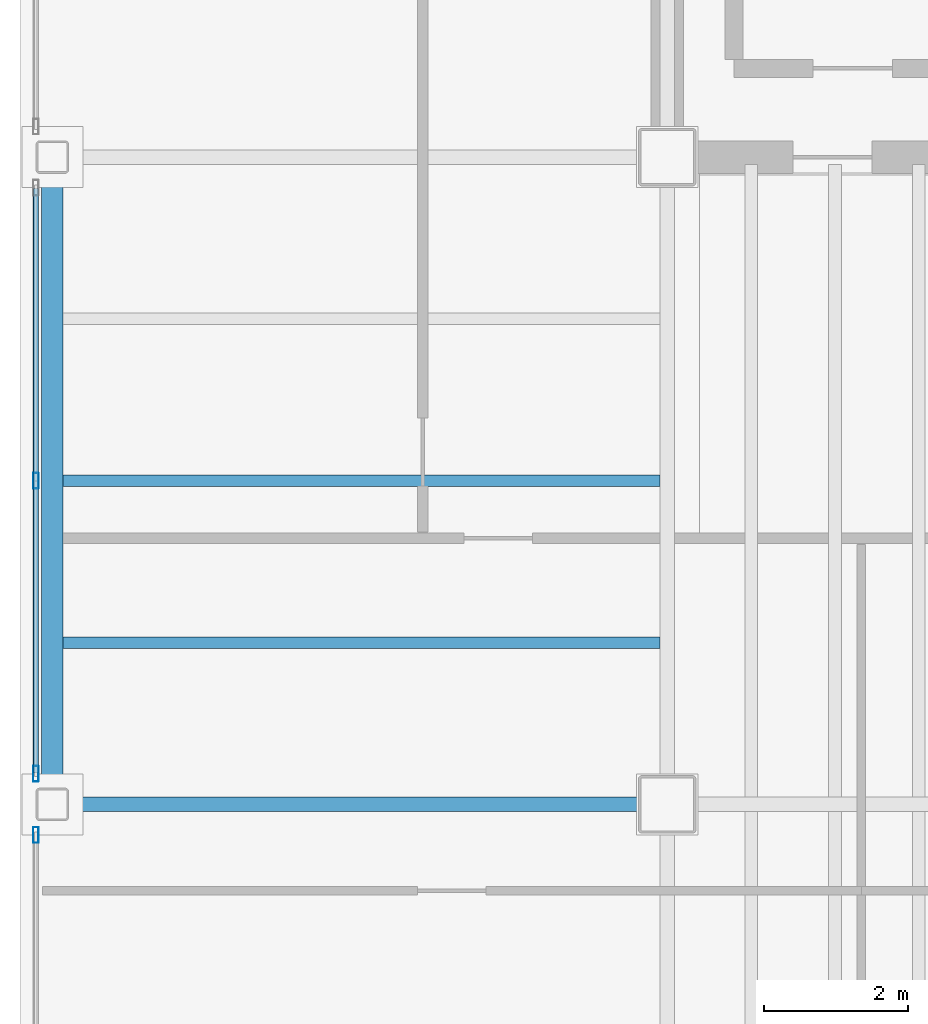
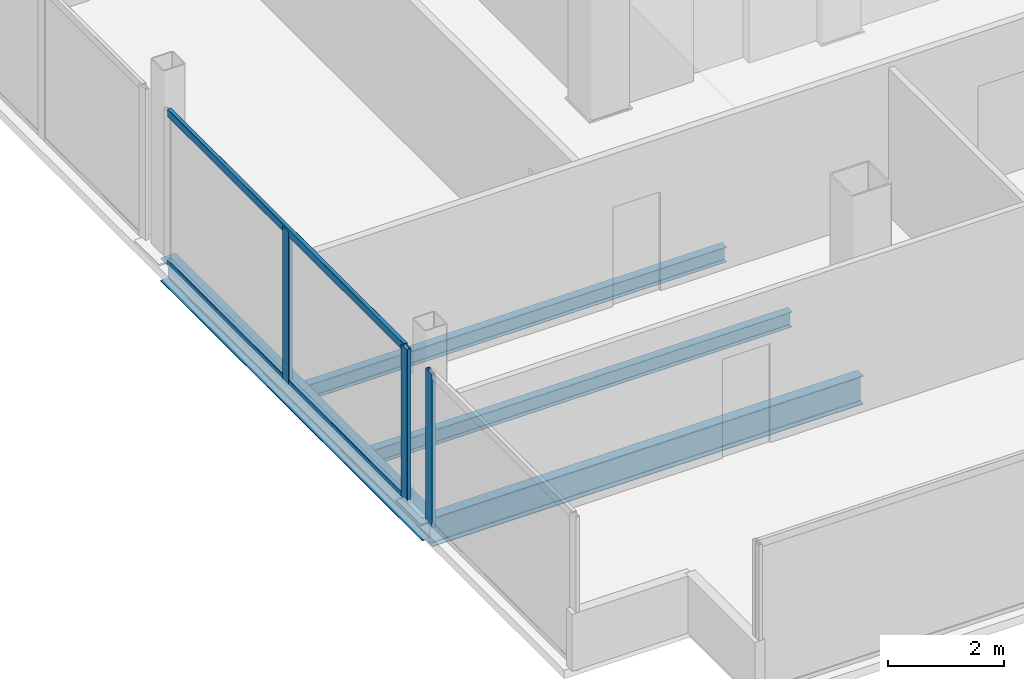
# One storey, part 4 of 17: 5 members, 4 beams, 2 elements without a shape of their own.
"""IFC4 building model written with IfcOpenShell, lengths in metres."""

from ifc_helpers import new_model, si_unit, direction, frame, origin, origin_2d, place, context, subcontext, project, spatial, hollow_rectangle, i_section, extrude, material, material_profile, profile_set, type_object, element, aggregate, save


model = new_model("IFC4")

# Units and contexts
model_context = context("Model", 3, precision=1e-05, world=origin(), true_north=direction((0.0, 1.0)))
body_context = subcontext(model_context, "Body", "Model", "MODEL_VIEW")
ifc_project = project(units=[si_unit("LENGTHUNIT", "METRE"), si_unit("AREAUNIT", "SQUARE_METRE"), si_unit("VOLUMEUNIT", "CUBIC_METRE"), si_unit("PLANEANGLEUNIT", "RADIAN"), si_unit("MASSUNIT", "GRAM", prefix="KILO")], contexts=[model_context])

# Site, building, storey
site_placement = place(None, origin())
site = spatial("IfcSite", under=ifc_project, at=site_placement, CompositionType="ELEMENT")
building_placement = place(site_placement, origin())
building = spatial("IfcBuilding", under=site, at=building_placement, Name="Noeulbin Bourse Tower", CompositionType="ELEMENT")
storey_placement = place(building_placement, frame((0.0, 0.0, 250.10009765625)))
storey = spatial("IfcBuildingStorey", under=building, at=storey_placement, Name="L62", CompositionType="ELEMENT", Elevation=250.10009765625)

# Beams
ifc_material_1 = material(Name="Steel S355", Category="steel")
ifc_material_profile_1 = material_profile(ifc_material_1, i_section(OverallWidth=0.199951171875, OverallDepth=0.60009765625, WebThickness=0.010986328125, FlangeThickness=0.01708984375, FilletRadius=0.02197265625, at=origin_2d()), Name="H-600x200x11x17", Category="LoadBearing")
ifc_profile_set_1 = profile_set([ifc_material_profile_1], Name="Steel S355")
beam_type_1 = type_object("IfcBeamType", Name="BM-GRD-600", PredefinedType="USERDEFINED", material=ifc_profile_set_1)
beam_1_placement = place(storey_placement, frame((4.949951171875, 20.0, -0.47998046875), z_axis=(1.0, 0.0, 0.0), x_axis=(0.0, 1.0, 0.0)))
element("IfcBeam", 1, at=beam_1_placement, inside=storey, type_object=beam_type_1, Name="Tower Primary Girder EW L62-1.1", ObjectType="GIRDER", PredefinedType="USERDEFINED", context=body_context, shape_type="SweptSolid", body=[
    extrude(i_section(OverallWidth=0.199951171875, OverallDepth=0.60009765625, WebThickness=0.010986328125, FlangeThickness=0.01708984375, FilletRadius=0.02197265625, at=origin_2d()), origin(), (0.0, 0.0, 1.0), 8.550048828125),
])
ifc_material_profile_2 = material_profile(ifc_material_1, i_section(OverallWidth=0.159912109375, OverallDepth=0.320068359375, WebThickness=0.006591796875, FlangeThickness=0.010009765625, FilletRadius=0.012939453125, at=origin_2d()), Name="H-320x160x6.5x10", Category="LoadBearing")
ifc_profile_set_2 = profile_set([ifc_material_profile_2], Name="Steel S355")
beam_type_2 = type_object("IfcBeamType", Name="BM-JST-320", PredefinedType="JOIST", material=ifc_profile_set_2)
for number, where, z_axis, x_axis, name in (
    (2, (5.10009765625, 22.25, -0.340087890625), (1.0, 0.0, 0.0), (0.0, 1.0, 0.0), "Wing Composite Joist L62-W37"),
    (3, (5.10009765625, 24.5, -0.340087890625), (1.0, 0.0, 0.0), (0.0, 1.0, 0.0), "Wing Composite Joist L62-W38"),
):
    element("IfcBeam", number, at=place(storey_placement, frame(where, z_axis=z_axis, x_axis=x_axis)), inside=storey, type_object=beam_type_2, Name=name, PredefinedType="JOIST", context=body_context, shape_type="SweptSolid", body=[
        extrude(i_section(OverallWidth=0.159912109375, OverallDepth=0.320068359375, WebThickness=0.006591796875, FlangeThickness=0.010009765625, FilletRadius=0.012939453125, at=origin_2d()), origin(), (0.0, 0.0, 1.0), 8.2998046875),
    ])
ifc_material_profile_3 = material_profile(ifc_material_1, i_section(OverallWidth=0.300048828125, OverallDepth=0.488037109375, WebThickness=0.010986328125, FlangeThickness=0.01806640625, FilletRadius=0.02197265625, at=origin_2d()), Name="H-488x300x11x18", Category="LoadBearing")
ifc_profile_set_3 = profile_set([ifc_material_profile_3], Name="Steel S355")
beam_type_3 = type_object("IfcBeamType", Name="BM-SPN-488", PredefinedType="SPANDREL", material=ifc_profile_set_3)
beam_2_placement = place(storey_placement, frame((4.949951171875, 20.0, -0.424072265625), z_axis=(0.0, 1.0, 0.0), x_axis=(-1.0, 0.0, 0.0)))
element("IfcBeam", 4, at=beam_2_placement, inside=storey, type_object=beam_type_3, Name="West Spandrel L62-1", PredefinedType="SPANDREL", context=body_context, shape_type="SweptSolid", body=[
    extrude(i_section(OverallWidth=0.300048828125, OverallDepth=0.488037109375, WebThickness=0.010986328125, FlangeThickness=0.01806640625, FilletRadius=0.02197265625, at=origin_2d()), origin(), (0.0, 0.0, 1.0), 9.0),
])

# Curtain wall, member
ifc_material_2 = material(Name="High-Selectivity Low-Iron Glazing", Category="glass")
curtain_wall_type = type_object("IfcCurtainWallType", Name="CW-SYS-4", PredefinedType="NOTDEFINED", material=ifc_material_2)
curtain_wall_1_placement = place(storey_placement, origin())
curtain_wall_1 = element("IfcCurtainWall", 5, at=curtain_wall_1_placement, inside=storey, type_object=curtain_wall_type, Name="Unitised Curtain Wall CW-L62-W-S1", PredefinedType="NOTDEFINED")
ifc_material_3 = material(Name="Anodised Aluminium 6063-T6", Category="aluminium")
ifc_material_profile_4 = material_profile(ifc_material_3, hollow_rectangle(XDim=0.074951171875, YDim=0.219970703125, WallThickness=0.0048828125, InnerFilletRadius=0.00244140625, OuterFilletRadius=0.0048828125, at=origin_2d()), Name="ALU-MULL-75x220x5", Category="LoadBearing")
ifc_profile_set_4 = profile_set([ifc_material_profile_4], Name="Anodised Aluminium 6063-T6")
member_type_1 = type_object("IfcMemberType", Name="CW-SYS-4-MUL", PredefinedType="MULLION", material=ifc_profile_set_4)
member_1_placement = place(storey_placement, frame((4.719970703125, 19.574951171875, -0.02001953125), z_axis=(0.0, 0.0, 1.0), x_axis=(1.0, 0.0, 0.0)))
member_1 = element("IfcMember", 6, at=member_1_placement, type_object=member_type_1, Name="Curtain Wall Mullion CW-L62-W-S1-M01", PredefinedType="MULLION", context=body_context, shape_type="SweptSolid", body=[
    extrude(hollow_rectangle(XDim=0.074951171875, YDim=0.219970703125, WallThickness=0.0048828125, InnerFilletRadius=0.00244140625, OuterFilletRadius=0.0048828125, at=origin_2d()), origin(), (0.0, 0.0, 1.0), 3.219970703125),
])
aggregate(curtain_wall_1, [member_1])

# Curtain wall, members
curtain_wall_2_placement = place(storey_placement, origin())
curtain_wall_2 = element("IfcCurtainWall", 7, at=curtain_wall_2_placement, inside=storey, type_object=curtain_wall_type, Name="Unitised Curtain Wall CW-L62-W-S2", PredefinedType="NOTDEFINED")
member_2_placement = place(storey_placement, frame((4.719970703125, 20.425048828125, -0.02001953125), z_axis=(0.0, 0.0, 1.0), x_axis=(1.0, 0.0, 0.0)))
member_2 = element("IfcMember", 8, at=member_2_placement, type_object=member_type_1, Name="Curtain Wall Mullion CW-L62-W-S2-M00", PredefinedType="MULLION", context=body_context, shape_type="SweptSolid", body=[
    extrude(hollow_rectangle(XDim=0.074951171875, YDim=0.219970703125, WallThickness=0.0048828125, InnerFilletRadius=0.00244140625, OuterFilletRadius=0.0048828125, at=origin_2d()), origin(), (0.0, 0.0, 1.0), 3.219970703125),
])
member_3_placement = place(storey_placement, frame((4.719970703125, 24.5, -0.02001953125), z_axis=(0.0, 0.0, 1.0), x_axis=(1.0, 0.0, 0.0)))
member_3 = element("IfcMember", 9, at=member_3_placement, type_object=member_type_1, Name="Curtain Wall Mullion CW-L62-W-S2-M01", PredefinedType="MULLION", context=body_context, shape_type="SweptSolid", body=[
    extrude(hollow_rectangle(XDim=0.074951171875, YDim=0.219970703125, WallThickness=0.0048828125, InnerFilletRadius=0.00244140625, OuterFilletRadius=0.0048828125, at=origin_2d()), origin(), (0.0, 0.0, 1.0), 3.219970703125),
])
ifc_material_profile_5 = material_profile(ifc_material_3, hollow_rectangle(XDim=0.074951171875, YDim=0.159912109375, WallThickness=0.0048828125, InnerFilletRadius=0.00244140625, OuterFilletRadius=0.0048828125, at=origin_2d()), Name="ALU-TRAN-75x160x5", Category="LoadBearing")
ifc_profile_set_5 = profile_set([ifc_material_profile_5], Name="Anodised Aluminium 6063-T6")
member_type_2 = type_object("IfcMemberType", Name="CW-SYS-4-TRN", PredefinedType="USERDEFINED", material=ifc_profile_set_5)
member_4_placement = place(storey_placement, frame((4.719970703125, 20.43505859375, 0.010009765625), z_axis=(0.0, 1.0, 0.0), x_axis=(-1.0, 0.0, 0.0)))
member_4 = element("IfcMember", 10, at=member_4_placement, type_object=member_type_2, Name="Curtain Wall Transom CW-L62-W-S2-T00", ObjectType="TRANSOM", PredefinedType="USERDEFINED", context=body_context, shape_type="SweptSolid", body=[
    extrude(hollow_rectangle(XDim=0.074951171875, YDim=0.159912109375, WallThickness=0.0048828125, InnerFilletRadius=0.00244140625, OuterFilletRadius=0.0048828125, at=origin_2d()), origin(), (0.0, 0.0, 1.0), 8.1298828125),
])
member_5_placement = place(storey_placement, frame((4.719970703125, 20.43505859375, 3.169921875), z_axis=(0.0, 1.0, 0.0), x_axis=(-1.0, 0.0, 0.0)))
member_5 = element("IfcMember", 11, at=member_5_placement, type_object=member_type_2, Name="Curtain Wall Transom CW-L62-W-S2-T01", ObjectType="TRANSOM", PredefinedType="USERDEFINED", context=body_context, shape_type="SweptSolid", body=[
    extrude(hollow_rectangle(XDim=0.074951171875, YDim=0.159912109375, WallThickness=0.0048828125, InnerFilletRadius=0.00244140625, OuterFilletRadius=0.0048828125, at=origin_2d()), origin(), (0.0, 0.0, 1.0), 8.1298828125),
])
aggregate(curtain_wall_2, [member_2, member_3, member_4, member_5])

save(model, "model.ifc")
